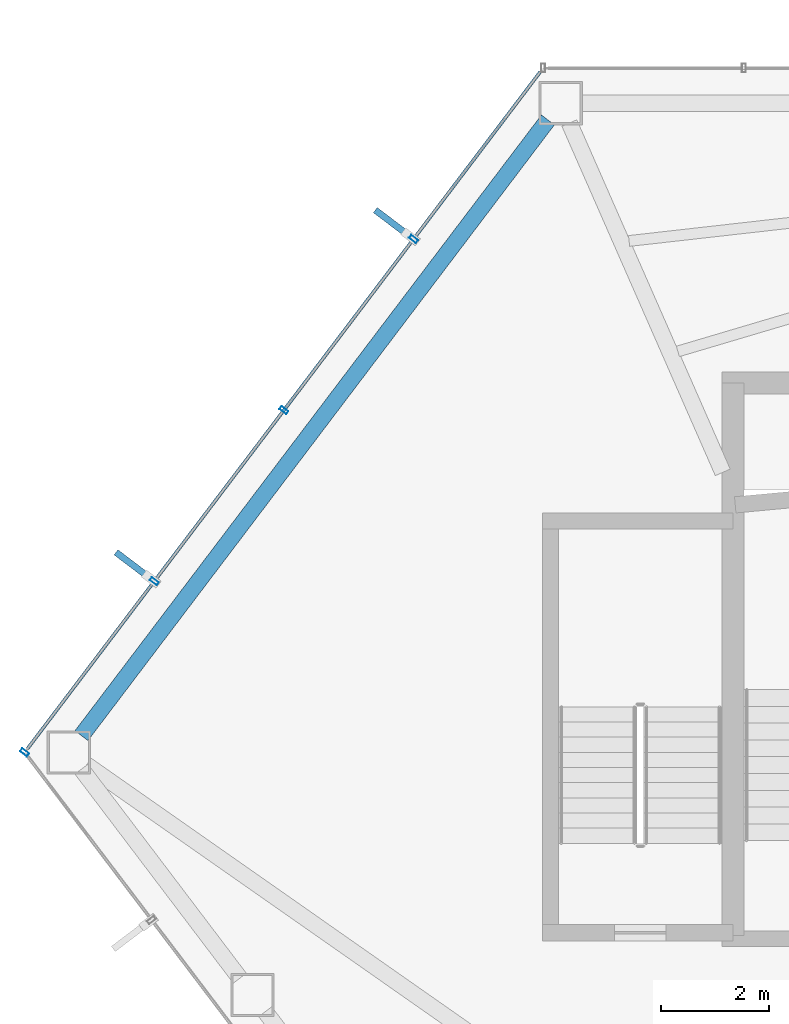
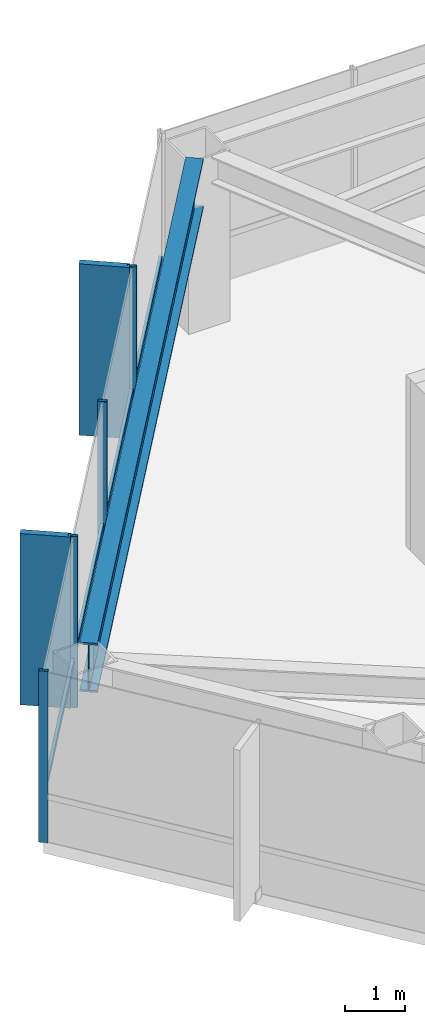
# One storey, part 10 of 28: 7 members, 1 beam, 1 element without a shape of its own.
"""IFC4 building model written with IfcOpenShell, lengths in metres."""

from ifc_helpers import new_model, si_unit, direction, frame, origin, origin_2d, place, context, subcontext, project, spatial, rectangle, hollow_rectangle, i_section, extrude, material, layer, layer_set, material_profile, profile_set, type_object, element, aggregate, save


model = new_model("IFC4")

# Units and contexts
model_context = context("Model", 3, precision=1e-05, world=origin(), true_north=direction((0.0, 1.0)))
body_context = subcontext(model_context, "Body", "Model", "MODEL_VIEW")
ifc_project = project(units=[si_unit("LENGTHUNIT", "METRE"), si_unit("AREAUNIT", "SQUARE_METRE"), si_unit("VOLUMEUNIT", "CUBIC_METRE"), si_unit("PLANEANGLEUNIT", "RADIAN"), si_unit("MASSUNIT", "GRAM", prefix="KILO")], contexts=[model_context])

# Site, building, storey
site_placement = place(None, origin())
site = spatial("IfcSite", under=ifc_project, at=site_placement, CompositionType="ELEMENT")
building_placement = place(site_placement, origin())
building = spatial("IfcBuilding", under=site, at=building_placement, Name="Zarrinselat Tower", CompositionType="ELEMENT")
storey_placement = place(building_placement, frame((0.0, 0.0, 127.159912109375)))
storey = spatial("IfcBuildingStorey", under=building, at=storey_placement, Name="L30", CompositionType="ELEMENT", Elevation=127.159912109375)

# Beam
ifc_material_1 = material(Name="Steel S460M", Category="steel")
ifc_material_profile_1 = material_profile(ifc_material_1, i_section(OverallWidth=0.302001953125, OverallDepth=1.008056640625, WebThickness=0.02099609375, FlangeThickness=0.0400390625, at=origin_2d()), Name="HEM 1000")
ifc_profile_set_1 = profile_set([ifc_material_profile_1], Name="Steel S460M")
beam_type = type_object("IfcBeamType", Name="BM-HEM1000", PredefinedType="BEAM", material=ifc_profile_set_1)
beam_placement = place(storey_placement, frame((16.5693359375, 36.938232421875, 2.99609375), z_axis=(0.603859994852, 0.79709040053, 0.0), x_axis=(-0.79709040053, 0.603859994852, 0.0)))
element("IfcBeam", 1, at=beam_placement, inside=storey, type_object=beam_type, Name="L30 Perimeter Spandrel Girder SP05", PredefinedType="BEAM", context=body_context, shape_type="SweptSolid", body=[
    extrude(i_section(OverallWidth=0.302001953125, OverallDepth=1.008056640625, WebThickness=0.02099609375, FlangeThickness=0.0400390625, at=origin_2d()), origin(), (0.0, 0.0, 1.0), 14.26318359375),
])

# Curtain wall, members
ifc_material_2 = material(Name="Extruded Aluminium Alloy EN AW-6063 T6", Category="aluminium")
ifc_layer = layer(ifc_material_2, 0.175048828125)
ifc_layer_set = layer_set([ifc_layer], Name="Extruded Aluminium Alloy EN AW-6063 T6")
curtain_wall_type = type_object("IfcCurtainWallType", Name="CWS-HTL", PredefinedType="NOTDEFINED", material=ifc_layer_set)
curtain_wall_placement = place(storey_placement, origin())
curtain_wall = element("IfcCurtainWall", 2, at=curtain_wall_placement, inside=storey, type_object=curtain_wall_type, Name="L30 Unitised Curtain Wall CW-L30-E02", PredefinedType="NOTDEFINED")
ifc_material_3 = material(Name="Extruded Aluminium Alloy EN AW-6063 T6", Category="aluminium")
ifc_material_profile_2 = material_profile(ifc_material_3, hollow_rectangle(XDim=0.070068359375, YDim=0.159912109375, WallThickness=0.00390625, at=origin_2d()), Name="RHS 160x70x4")
ifc_profile_set_2 = profile_set([ifc_material_profile_2], Name="Extruded Aluminium Alloy EN AW-6063 T6")
member_type_1 = type_object("IfcMemberType", Name="MEM-CW-MUL2", PredefinedType="MULLION", material=ifc_profile_set_2)
member_1_placement = place(storey_placement, frame((22.7001953125, 46.107421875, 0.0), z_axis=(0.0, 0.0, 1.0), x_axis=(-0.603858052292, -0.797091872172, 0.0)))
member_1 = element("IfcMember", 3, at=member_1_placement, type_object=member_type_1, Name="CW-L30-E02 Mullion 1", PredefinedType="MULLION", context=body_context, shape_type="SweptSolid", body=[
    extrude(hollow_rectangle(XDim=0.070068359375, YDim=0.159912109375, WallThickness=0.00390625, at=origin_2d()), origin(), (0.0, 0.0, 1.0), 3.5),
])
member_2_placement = place(storey_placement, frame((20.306640625, 42.94775390625, 0.0), z_axis=(0.0, 0.0, 1.0), x_axis=(-0.603858052292, -0.797091872172, 0.0)))
member_2 = element("IfcMember", 4, at=member_2_placement, type_object=member_type_1, Name="CW-L30-E02 Mullion 2", PredefinedType="MULLION", context=body_context, shape_type="SweptSolid", body=[
    extrude(hollow_rectangle(XDim=0.070068359375, YDim=0.159912109375, WallThickness=0.00390625, at=origin_2d()), origin(), (0.0, 0.0, 1.0), 3.5),
])
member_3_placement = place(storey_placement, frame((17.9130859375, 39.788330078125, 0.0), z_axis=(0.0, 0.0, 1.0), x_axis=(-0.603858052292, -0.797091872172, 0.0)))
member_3 = element("IfcMember", 5, at=member_3_placement, type_object=member_type_1, Name="CW-L30-E02 Mullion 3", PredefinedType="MULLION", context=body_context, shape_type="SweptSolid", body=[
    extrude(hollow_rectangle(XDim=0.070068359375, YDim=0.159912109375, WallThickness=0.00390625, at=origin_2d()), origin(), (0.0, 0.0, 1.0), 3.5),
])
member_4_placement = place(storey_placement, frame((15.51953125, 36.62890625, 0.0), z_axis=(0.0, 0.0, 1.0), x_axis=(-0.603858052292, -0.797091872172, 0.0)))
member_4 = element("IfcMember", 6, at=member_4_placement, type_object=member_type_1, Name="CW-L30-E02 Mullion 4", PredefinedType="MULLION", context=body_context, shape_type="SweptSolid", body=[
    extrude(hollow_rectangle(XDim=0.070068359375, YDim=0.159912109375, WallThickness=0.00390625, at=origin_2d()), origin(), (0.0, 0.0, 1.0), 3.5),
])
ifc_material_4 = material(Name="Extruded Aluminium Alloy EN AW-6063 T6", Category="aluminium")
ifc_material_profile_3 = material_profile(ifc_material_4, hollow_rectangle(XDim=0.06005859375, YDim=0.1201171875, WallThickness=0.00390625, at=origin_2d()), Name="RHS 120x60x4")
ifc_profile_set_3 = profile_set([ifc_material_profile_3], Name="Extruded Aluminium Alloy EN AW-6063 T6")
member_type_2 = type_object("IfcMemberType", Name="MEM-CW-TRN2", PredefinedType="USERDEFINED", material=ifc_profile_set_3)
member_5_placement = place(storey_placement, frame((25.039306640625, 49.195068359375, 0.9501953125), z_axis=(-0.603863085661, -0.797088058984, 0.0), x_axis=(0.797088058984, -0.603863085661, 0.0)))
member_5 = element("IfcMember", 7, at=member_5_placement, type_object=member_type_2, Name="CW-L30-E02 Transom 1", ObjectType="TRANSOM", PredefinedType="USERDEFINED", context=body_context, shape_type="SweptSolid", body=[
    extrude(hollow_rectangle(XDim=0.06005859375, YDim=0.1201171875, WallThickness=0.00390625, at=origin_2d()), origin(), (0.0, 0.0, 1.0), 15.675048828125),
])
ifc_material_5 = material(Name="Honed Cream Travertine Stone", Category="masonry")
ifc_material_profile_4 = material_profile(ifc_material_5, rectangle(XDim=0.1201171875, YDim=0.85009765625, at=origin_2d()), Name="FIN 850x120")
ifc_profile_set_4 = profile_set([ifc_material_profile_4], Name="Honed Cream Travertine Stone")
member_type_3 = type_object("IfcMemberType", Name="MEM-STONE-FIN", PredefinedType="USERDEFINED", material=ifc_profile_set_4)
member_6_placement = place(storey_placement, frame((22.33349609375, 46.385009765625, 0.0), z_axis=(0.0, 0.0, 1.0), x_axis=(0.603858052292, 0.797091872172, 0.0)))
member_6 = element("IfcMember", 8, at=member_6_placement, type_object=member_type_3, Name="L30 Stone Shading Fin CW-L30-E02-01", ObjectType="FIN", PredefinedType="USERDEFINED", context=body_context, shape_type="SweptSolid", body=[
    extrude(rectangle(XDim=0.1201171875, YDim=0.85009765625, at=origin_2d()), origin(), (0.0, 0.0, 1.0), 3.5),
])
member_7_placement = place(storey_placement, frame((17.54638671875, 40.066162109375, 0.0), z_axis=(0.0, 0.0, 1.0), x_axis=(0.603858052292, 0.797091872172, 0.0)))
member_7 = element("IfcMember", 9, at=member_7_placement, type_object=member_type_3, Name="L30 Stone Shading Fin CW-L30-E02-03", ObjectType="FIN", PredefinedType="USERDEFINED", context=body_context, shape_type="SweptSolid", body=[
    extrude(rectangle(XDim=0.1201171875, YDim=0.85009765625, at=origin_2d()), origin(), (0.0, 0.0, 1.0), 3.5),
])
aggregate(curtain_wall, [member_1, member_6, member_2, member_3, member_7, member_4, member_5])

save(model, "model.ifc")
